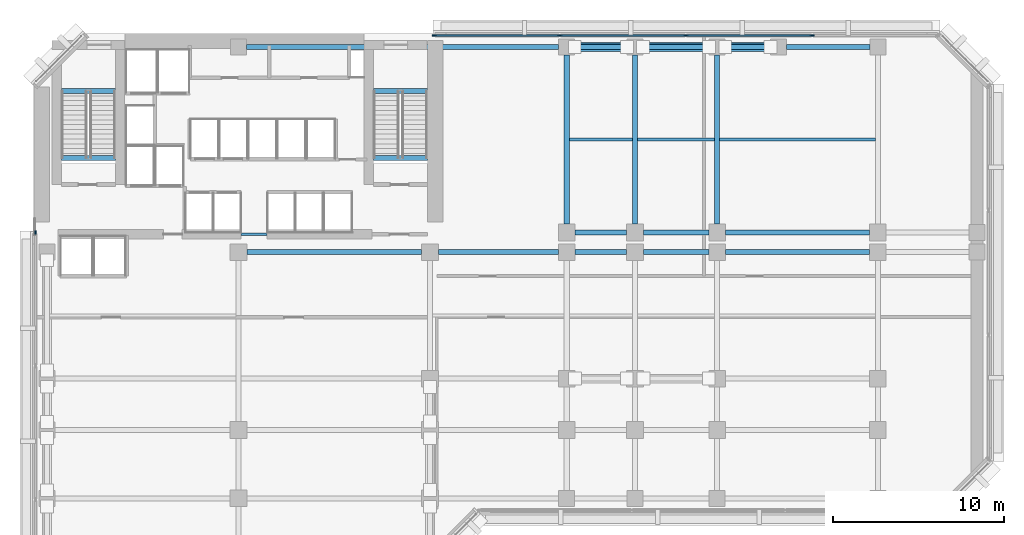
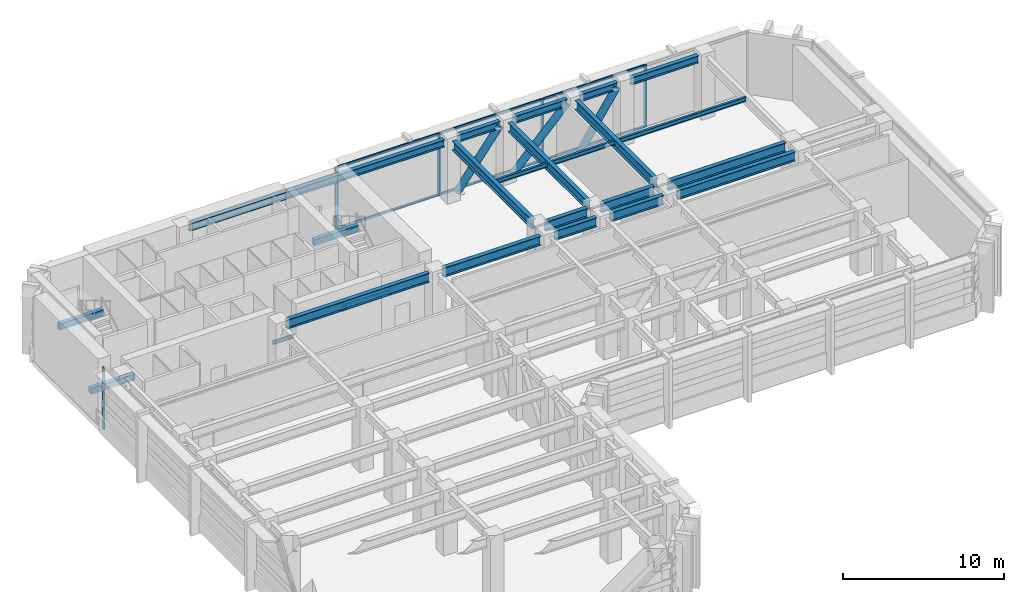
# One storey, part 4 of 13: 24 beams, 14 members, 2 elements without a shape of their own.
"""IFC4 building model written with IfcOpenShell, lengths in metres."""

from ifc_helpers import new_model, si_unit, direction, frame, origin, origin_2d, place, context, subcontext, project, spatial, rectangle, hollow_circle, i_section, extrude, material, layer, layer_set, material_profile, profile_set, type_object, element, aggregate, save


model = new_model("IFC4")

# Units and contexts
model_context = context("Model", 3, precision=1e-05, world=origin(), true_north=direction((0.0, 1.0)))
body_context = subcontext(model_context, "Body", "Model", "MODEL_VIEW")
ifc_project = project(units=[si_unit("LENGTHUNIT", "METRE"), si_unit("AREAUNIT", "SQUARE_METRE"), si_unit("VOLUMEUNIT", "CUBIC_METRE"), si_unit("PLANEANGLEUNIT", "RADIAN"), si_unit("MASSUNIT", "GRAM", prefix="KILO")], contexts=[model_context])

# Site, building, storey
site_placement = place(None, origin())
site = spatial("IfcSite", under=ifc_project, at=site_placement, CompositionType="ELEMENT")
building_placement = place(site_placement, origin())
building = spatial("IfcBuilding", under=site, at=building_placement, Name="Kefirva Bronze Tower", CompositionType="ELEMENT")
storey_placement = place(building_placement, frame((0.0, 0.0, 93.719970703125)))
storey = spatial("IfcBuildingStorey", under=building, at=storey_placement, Name="L22", CompositionType="ELEMENT", Elevation=93.719970703125)

# Curtain wall, members
ifc_material_1 = material(Name="Bronze anodised aluminium", Category="aluminium")
ifc_layer = layer(ifc_material_1, 0.219970703125, Name="Bronze anodised aluminium")
ifc_layer_set = layer_set([ifc_layer], Name="Bronze anodised aluminium")
curtain_wall_type = type_object("IfcCurtainWallType", Name="Refuge Acoustic Louvre Curtain Screen", PredefinedType="USERDEFINED", material=ifc_layer_set)
curtain_wall_1_placement = place(storey_placement, origin())
curtain_wall_1 = element("IfcCurtainWall", 1, at=curtain_wall_1_placement, inside=storey, type_object=curtain_wall_type, Name="L22 Curtain Wall 4", ObjectType="LOUVRE SCREEN WALL", PredefinedType="USERDEFINED")
ifc_material_profile_1 = material_profile(ifc_material_1, rectangle(XDim=0.090087890625, YDim=0.219970703125, at=origin_2d()), Name="ALU 90x220")
ifc_profile_set_1 = profile_set([ifc_material_profile_1], Name="Bronze anodised aluminium")
member_type_1 = type_object("IfcMemberType", Name="Bronze Mullion 90x220", PredefinedType="MULLION", material=ifc_profile_set_1)
member_1_placement = place(storey_placement, frame((45.56005859375, 45.8798828125, 0.0), z_axis=(0.0, 0.0, 1.0), x_axis=(0.0, -1.0, 0.0)))
member_1 = element("IfcMember", 2, at=member_1_placement, type_object=member_type_1, Name="CW-06 mullion 2", PredefinedType="MULLION", context=body_context, shape_type="SweptSolid", body=[
    extrude(rectangle(XDim=0.090087890625, YDim=0.219970703125, at=origin_2d()), origin(), (0.0, 0.0, 1.0), 4.699951171875),
])
member_2_placement = place(storey_placement, frame((38.175048828125, 45.8798828125, 0.0), z_axis=(0.0, 0.0, 1.0), x_axis=(0.0, -1.0, 0.0)))
member_2 = element("IfcMember", 3, at=member_2_placement, type_object=member_type_1, Name="CW-06 mullion 3", PredefinedType="MULLION", context=body_context, shape_type="SweptSolid", body=[
    extrude(rectangle(XDim=0.090087890625, YDim=0.219970703125, at=origin_2d()), origin(), (0.0, 0.0, 1.0), 4.699951171875),
])
member_3_placement = place(storey_placement, frame((30.7900390625, 45.8798828125, 0.0), z_axis=(0.0, 0.0, 1.0), x_axis=(0.0, -1.0, 0.0)))
member_3 = element("IfcMember", 4, at=member_3_placement, type_object=member_type_1, Name="CW-06 mullion 4", PredefinedType="MULLION", context=body_context, shape_type="SweptSolid", body=[
    extrude(rectangle(XDim=0.090087890625, YDim=0.219970703125, at=origin_2d()), origin(), (0.0, 0.0, 1.0), 4.699951171875),
])
member_4_placement = place(storey_placement, frame((23.449951171875, 45.8798828125, 0.0), z_axis=(0.0, 0.0, 1.0), x_axis=(0.0, -1.0, 0.0)))
member_4 = element("IfcMember", 5, at=member_4_placement, type_object=member_type_1, Name="CW-06 mullion 5", PredefinedType="MULLION", context=body_context, shape_type="SweptSolid", body=[
    extrude(rectangle(XDim=0.090087890625, YDim=0.219970703125, at=origin_2d()), origin(), (0.0, 0.0, 1.0), 4.699951171875),
])

# Curtain wall, member
curtain_wall_2_placement = place(storey_placement, origin())
curtain_wall_2 = element("IfcCurtainWall", 6, at=curtain_wall_2_placement, inside=storey, type_object=curtain_wall_type, Name="L22 Curtain Wall 5", ObjectType="LOUVRE SCREEN WALL", PredefinedType="USERDEFINED")
member_5_placement = place(storey_placement, frame((0.1201171875, 34.35009765625, 0.0), z_axis=(0.0, 0.0, 1.0), x_axis=(1.0, 0.0, 0.0)))
member_5 = element("IfcMember", 7, at=member_5_placement, type_object=member_type_1, Name="CW-06 mullion 1", PredefinedType="MULLION", context=body_context, shape_type="SweptSolid", body=[
    extrude(rectangle(XDim=0.090087890625, YDim=0.219970703125, at=origin_2d()), origin(), (0.0, 0.0, 1.0), 4.699951171875),
])
aggregate(curtain_wall_2, [member_5])

# Member
ifc_material_profile_2 = material_profile(ifc_material_1, rectangle(XDim=0.090087890625, YDim=0.179931640625, at=origin_2d()), Name="ALU 90x180")
ifc_profile_set_2 = profile_set([ifc_material_profile_2], Name="Bronze anodised aluminium")
member_type_2 = type_object("IfcMemberType", Name="Bronze Transom 90x180", PredefinedType="USERDEFINED", material=ifc_profile_set_2)
member_6_placement = place(storey_placement, frame((45.514892578125, 45.8798828125, 0.044921875), z_axis=(-1.0, 0.0, 0.0), x_axis=(0.0, -1.0, 0.0)))
member_6 = element("IfcMember", 8, at=member_6_placement, type_object=member_type_2, Name="CW-06 transom 2.1", ObjectType="TRANSOM", PredefinedType="USERDEFINED", context=body_context, shape_type="SweptSolid", body=[
    extrude(rectangle(XDim=0.090087890625, YDim=0.179931640625, at=origin_2d()), origin(), (0.0, 0.0, 1.0), 7.294921875),
])

member_7_placement = place(storey_placement, frame((45.514892578125, 45.8798828125, 4.655029296875), z_axis=(-1.0, 0.0, 0.0), x_axis=(0.0, -1.0, 0.0)))
member_7 = element("IfcMember", 9, at=member_7_placement, type_object=member_type_2, Name="CW-06 transom 2.2", ObjectType="TRANSOM", PredefinedType="USERDEFINED", context=body_context, shape_type="SweptSolid", body=[
    extrude(rectangle(XDim=0.090087890625, YDim=0.179931640625, at=origin_2d()), origin(), (0.0, 0.0, 1.0), 7.294921875),
])

member_8_placement = place(storey_placement, frame((38.1298828125, 45.8798828125, 0.044921875), z_axis=(-1.0, 0.0, 0.0), x_axis=(0.0, -1.0, 0.0)))
member_8 = element("IfcMember", 10, at=member_8_placement, type_object=member_type_2, Name="CW-06 transom 3.1", ObjectType="TRANSOM", PredefinedType="USERDEFINED", context=body_context, shape_type="SweptSolid", body=[
    extrude(rectangle(XDim=0.090087890625, YDim=0.179931640625, at=origin_2d()), origin(), (0.0, 0.0, 1.0), 7.294921875),
])

member_9_placement = place(storey_placement, frame((38.1298828125, 45.8798828125, 4.655029296875), z_axis=(-1.0, 0.0, 0.0), x_axis=(0.0, -1.0, 0.0)))
member_9 = element("IfcMember", 11, at=member_9_placement, type_object=member_type_2, Name="CW-06 transom 3.2", ObjectType="TRANSOM", PredefinedType="USERDEFINED", context=body_context, shape_type="SweptSolid", body=[
    extrude(rectangle(XDim=0.090087890625, YDim=0.179931640625, at=origin_2d()), origin(), (0.0, 0.0, 1.0), 7.294921875),
])

member_10_placement = place(storey_placement, frame((30.7451171875, 45.8798828125, 0.044921875), z_axis=(-1.0, 0.0, 0.0), x_axis=(0.0, -1.0, 0.0)))
member_10 = element("IfcMember", 12, at=member_10_placement, type_object=member_type_2, Name="CW-06 transom 4.1", ObjectType="TRANSOM", PredefinedType="USERDEFINED", context=body_context, shape_type="SweptSolid", body=[
    extrude(rectangle(XDim=0.090087890625, YDim=0.179931640625, at=origin_2d()), origin(), (0.0, 0.0, 1.0), 7.25),
])

member_11_placement = place(storey_placement, frame((30.7451171875, 45.8798828125, 4.655029296875), z_axis=(-1.0, 0.0, 0.0), x_axis=(0.0, -1.0, 0.0)))
member_11 = element("IfcMember", 13, at=member_11_placement, type_object=member_type_2, Name="CW-06 transom 4.2", ObjectType="TRANSOM", PredefinedType="USERDEFINED", context=body_context, shape_type="SweptSolid", body=[
    extrude(rectangle(XDim=0.090087890625, YDim=0.179931640625, at=origin_2d()), origin(), (0.0, 0.0, 1.0), 7.25),
])

aggregate(curtain_wall_1, [member_1, member_2, member_3, member_4, member_6, member_7, member_8, member_9, member_10, member_11])

# Beams
ifc_material_2 = material(Name="Concrete C50/60", Category="concrete")
ifc_material_profile_3 = material_profile(ifc_material_2, rectangle(XDim=0.300048828125, YDim=0.449951171875, at=origin_2d()), Name="RC 300x450")
ifc_profile_set_3 = profile_set([ifc_material_profile_3], Name="Concrete C50/60")
beam_type_1 = type_object("IfcBeamType", Name="RC Stair Trimmer Beam 300x450", PredefinedType="BEAM", material=ifc_profile_set_3)
for number, where, z_axis, x_axis, name in (
    (14, (1.64501953125, 38.699951171875, -0.224853515625), (1.0, 0.0, 0.0), (0.0, 1.0, 0.0), "L22 Stair 1 Landing Trimmer Beam"),
    (15, (1.64501953125, 42.6201171875, 2.25), (1.0, 0.0, 0.0), (0.0, 1.0, 0.0), "L22 Stair 1 Half-Landing Trimmer Beam"),
):
    element("IfcBeam", number, at=place(storey_placement, frame(where, z_axis=z_axis, x_axis=x_axis)), inside=storey, type_object=beam_type_1, Name=name, PredefinedType="BEAM", context=body_context, shape_type="SweptSolid", body=[
        extrude(rectangle(XDim=0.300048828125, YDim=0.449951171875, at=origin_2d()), origin(), (0.0, 0.0, 1.0), 3.14990234375),
    ])
for number, where, z_axis, x_axis, name in (
    (16, (19.89501953125, 38.699951171875, -0.224853515625), (1.0, 0.0, 0.0), (0.0, 1.0, 0.0), "L22 Stair 2 Landing Trimmer Beam"),
    (17, (19.89501953125, 42.6201171875, 2.25), (1.0, 0.0, 0.0), (0.0, 1.0, 0.0), "L22 Stair 2 Half-Landing Trimmer Beam"),
):
    element("IfcBeam", number, at=place(storey_placement, frame(where, z_axis=z_axis, x_axis=x_axis)), inside=storey, type_object=beam_type_1, Name=name, PredefinedType="BEAM", context=body_context, shape_type="SweptSolid", body=[
        extrude(rectangle(XDim=0.300048828125, YDim=0.449951171875, at=origin_2d()), origin(), (0.0, 0.0, 1.0), 3.159912109375),
    ])

# Members
ifc_material_3 = material(Name="Steel S460", Category="steel")
ifc_material_profile_4 = material_profile(ifc_material_3, hollow_circle(Radius=0.25390625, WallThickness=0.02001953125, at=origin_2d()), Name="CHS 508x20")
ifc_profile_set_4 = profile_set([ifc_material_profile_4], Name="Steel S460")
member_type_3 = type_object("IfcMemberType", Name="Steel Belt Brace CHS 508x20", PredefinedType="BRACE", material=ifc_profile_set_4)
member_12_placement = place(storey_placement, frame((31.669921875, 45.199951171875, 0.300048828125), z_axis=(0.607604839906, 0.0, 0.794239484364), x_axis=(0.0, 1.0, 0.0)))
element("IfcMember", 18, at=member_12_placement, inside=storey, type_object=member_type_3, Name="L22 Outrigger Belt Brace 10", PredefinedType="BRACE", context=body_context, shape_type="SweptSolid", body=[
    extrude(hollow_circle(Radius=0.25390625, WallThickness=0.02001953125, at=origin_2d()), origin(), (0.0, 0.0, 1.0), 5.036376953125),
])
member_13_placement = place(storey_placement, frame((35.669921875, 45.199951171875, 0.300048828125), z_axis=(0.694411867109, 0.0, 0.71957776426), x_axis=(0.0, 1.0, 0.0)))
element("IfcMember", 19, at=member_13_placement, inside=storey, type_object=member_type_3, Name="L22 Outrigger Belt Brace 11", PredefinedType="BRACE", context=body_context, shape_type="SweptSolid", body=[
    extrude(hollow_circle(Radius=0.25390625, WallThickness=0.02001953125, at=origin_2d()), origin(), (0.0, 0.0, 1.0), 5.558837890625),
])
member_14_placement = place(storey_placement, frame((40.469970703125, 45.199951171875, 0.300048828125), z_axis=(0.553726343502, 0.0, 0.832698706924), x_axis=(0.0, 1.0, 0.0)))
element("IfcMember", 20, at=member_14_placement, inside=storey, type_object=member_type_3, Name="L22 Outrigger Belt Brace 12", PredefinedType="BRACE", context=body_context, shape_type="SweptSolid", body=[
    extrude(hollow_circle(Radius=0.25390625, WallThickness=0.02001953125, at=origin_2d()), origin(), (0.0, 0.0, 1.0), 4.8037109375),
])

# Beams
ifc_material_4 = material(Name="Steel S355", Category="steel")
ifc_material_profile_5 = material_profile(ifc_material_4, i_section(OverallWidth=0.159912109375, OverallDepth=0.330078125, WebThickness=0.007568359375, FlangeThickness=0.011474609375, at=origin_2d()), Name="IPE 330")
ifc_profile_set_5 = profile_set([ifc_material_profile_5], Name="Steel S355")
beam_type_2 = type_object("IfcBeamType", Name="Steel Floor Joist IPE 330", PredefinedType="JOIST", material=ifc_profile_set_5)
beam_1_placement = place(storey_placement, frame((31.35009765625, 39.784912109375, 4.534912109375), z_axis=(1.0, 0.0, 0.0), x_axis=(0.0, 1.0, 0.0)))
element("IfcBeam", 21, at=beam_1_placement, inside=storey, type_object=beam_type_2, Name="L22 JST-L22-31-397", PredefinedType="JOIST", context=body_context, shape_type="SweptSolid", body=[
    extrude(i_section(OverallWidth=0.159912109375, OverallDepth=0.330078125, WebThickness=0.007568359375, FlangeThickness=0.011474609375, at=origin_2d()), origin(), (0.0, 0.0, 1.0), 3.699951171875),
])
beam_2_placement = place(storey_placement, frame((35.35009765625, 39.784912109375, 4.534912109375), z_axis=(1.0, 0.0, 0.0), x_axis=(0.0, 1.0, 0.0)))
element("IfcBeam", 22, at=beam_2_placement, inside=storey, type_object=beam_type_2, Name="L22 JST-L22-35-397", PredefinedType="JOIST", context=body_context, shape_type="SweptSolid", body=[
    extrude(i_section(OverallWidth=0.159912109375, OverallDepth=0.330078125, WebThickness=0.007568359375, FlangeThickness=0.011474609375, at=origin_2d()), origin(), (0.0, 0.0, 1.0), 4.5),
])
beam_3_placement = place(storey_placement, frame((40.14990234375, 39.784912109375, 4.534912109375), z_axis=(1.0, 0.0, 0.0), x_axis=(0.0, 1.0, 0.0)))
element("IfcBeam", 23, at=beam_3_placement, inside=storey, type_object=beam_type_2, Name="L22 JST-L22-40-397", PredefinedType="JOIST", context=body_context, shape_type="SweptSolid", body=[
    extrude(i_section(OverallWidth=0.159912109375, OverallDepth=0.330078125, WebThickness=0.007568359375, FlangeThickness=0.011474609375, at=origin_2d()), origin(), (0.0, 0.0, 1.0), 9.10009765625),
])
ifc_material_profile_6 = material_profile(ifc_material_4, i_section(OverallWidth=0.300048828125, OverallDepth=0.699951171875, WebThickness=0.01708984375, FlangeThickness=0.031982421875, at=origin_2d()), Name="HEB 700")
ifc_profile_set_6 = profile_set([ifc_material_profile_6], Name="Steel S355")
beam_type_3 = type_object("IfcBeamType", Name="Steel Girder HEB 700", PredefinedType="USERDEFINED", material=ifc_profile_set_6)
beam_4_placement = place(storey_placement, frame((12.489990234375, 33.199951171875, 4.35009765625), z_axis=(1.0, 0.0, 0.0), x_axis=(0.0, 1.0, 0.0)))
element("IfcBeam", 24, at=beam_4_placement, inside=storey, type_object=beam_type_3, Name="L22 BM-L22-EW-12-332", ObjectType="GIRDER", PredefinedType="USERDEFINED", context=body_context, shape_type="SweptSolid", body=[
    extrude(i_section(OverallWidth=0.300048828125, OverallDepth=0.699951171875, WebThickness=0.01708984375, FlangeThickness=0.031982421875, at=origin_2d()), origin(), (0.0, 0.0, 1.0), 10.219970703125),
])
beam_5_placement = place(storey_placement, frame((23.68994140625, 33.199951171875, 4.35009765625), z_axis=(1.0, 0.0, 0.0), x_axis=(0.0, 1.0, 0.0)))
element("IfcBeam", 25, at=beam_5_placement, inside=storey, type_object=beam_type_3, Name="L22 BM-L22-EW-23-332", ObjectType="GIRDER", PredefinedType="USERDEFINED", context=body_context, shape_type="SweptSolid", body=[
    extrude(i_section(OverallWidth=0.300048828125, OverallDepth=0.699951171875, WebThickness=0.01708984375, FlangeThickness=0.031982421875, at=origin_2d()), origin(), (0.0, 0.0, 1.0), 7.02001953125),
])
beam_6_placement = place(storey_placement, frame((31.68994140625, 33.199951171875, 4.35009765625), z_axis=(1.0, 0.0, 0.0), x_axis=(0.0, 1.0, 0.0)))
element("IfcBeam", 26, at=beam_6_placement, inside=storey, type_object=beam_type_3, Name="L22 BM-L22-EW-31-332", ObjectType="GIRDER", PredefinedType="USERDEFINED", context=body_context, shape_type="SweptSolid", body=[
    extrude(i_section(OverallWidth=0.300048828125, OverallDepth=0.699951171875, WebThickness=0.01708984375, FlangeThickness=0.031982421875, at=origin_2d()), origin(), (0.0, 0.0, 1.0), 3.02001953125),
])
beam_7_placement = place(storey_placement, frame((35.68994140625, 33.199951171875, 4.35009765625), z_axis=(1.0, 0.0, 0.0), x_axis=(0.0, 1.0, 0.0)))
element("IfcBeam", 27, at=beam_7_placement, inside=storey, type_object=beam_type_3, Name="L22 BM-L22-EW-35-332", ObjectType="GIRDER", PredefinedType="USERDEFINED", context=body_context, shape_type="SweptSolid", body=[
    extrude(i_section(OverallWidth=0.300048828125, OverallDepth=0.699951171875, WebThickness=0.01708984375, FlangeThickness=0.031982421875, at=origin_2d()), origin(), (0.0, 0.0, 1.0), 3.820068359375),
])
beam_8_placement = place(storey_placement, frame((40.489990234375, 33.199951171875, 4.35009765625), z_axis=(1.0, 0.0, 0.0), x_axis=(0.0, 1.0, 0.0)))
element("IfcBeam", 28, at=beam_8_placement, inside=storey, type_object=beam_type_3, Name="L22 BM-L22-EW-40-332", ObjectType="GIRDER", PredefinedType="USERDEFINED", context=body_context, shape_type="SweptSolid", body=[
    extrude(i_section(OverallWidth=0.300048828125, OverallDepth=0.699951171875, WebThickness=0.01708984375, FlangeThickness=0.031982421875, at=origin_2d()), origin(), (0.0, 0.0, 1.0), 8.419921875),
])
beam_9_placement = place(storey_placement, frame((31.68994140625, 34.35009765625, 4.35009765625), z_axis=(1.0, 0.0, 0.0), x_axis=(0.0, 1.0, 0.0)))
element("IfcBeam", 29, at=beam_9_placement, inside=storey, type_object=beam_type_3, Name="L22 BM-L22-EW-31-344", ObjectType="GIRDER", PredefinedType="USERDEFINED", context=body_context, shape_type="SweptSolid", body=[
    extrude(i_section(OverallWidth=0.300048828125, OverallDepth=0.699951171875, WebThickness=0.01708984375, FlangeThickness=0.031982421875, at=origin_2d()), origin(), (0.0, 0.0, 1.0), 3.02001953125),
])
beam_10_placement = place(storey_placement, frame((35.68994140625, 34.35009765625, 4.35009765625), z_axis=(1.0, 0.0, 0.0), x_axis=(0.0, 1.0, 0.0)))
element("IfcBeam", 30, at=beam_10_placement, inside=storey, type_object=beam_type_3, Name="L22 BM-L22-EW-35-344", ObjectType="GIRDER", PredefinedType="USERDEFINED", context=body_context, shape_type="SweptSolid", body=[
    extrude(i_section(OverallWidth=0.300048828125, OverallDepth=0.699951171875, WebThickness=0.01708984375, FlangeThickness=0.031982421875, at=origin_2d()), origin(), (0.0, 0.0, 1.0), 3.820068359375),
])
beam_11_placement = place(storey_placement, frame((40.489990234375, 34.35009765625, 4.35009765625), z_axis=(1.0, 0.0, 0.0), x_axis=(0.0, 1.0, 0.0)))
element("IfcBeam", 31, at=beam_11_placement, inside=storey, type_object=beam_type_3, Name="L22 BM-L22-EW-40-344", ObjectType="GIRDER", PredefinedType="USERDEFINED", context=body_context, shape_type="SweptSolid", body=[
    extrude(i_section(OverallWidth=0.300048828125, OverallDepth=0.699951171875, WebThickness=0.01708984375, FlangeThickness=0.031982421875, at=origin_2d()), origin(), (0.0, 0.0, 1.0), 8.419921875),
])
for number, where, z_axis, x_axis, name in (
    (32, (31.199951171875, 34.840087890625, 4.35009765625), (0.0, 1.0, 0.0), (-1.0, 0.0, 0.0), "L22 BM-L22-NS-312-34"),
    (33, (35.199951171875, 34.840087890625, 4.35009765625), (0.0, 1.0, 0.0), (-1.0, 0.0, 0.0), "L22 BM-L22-NS-352-34"),
    (34, (40.0, 34.840087890625, 4.35009765625), (0.0, 1.0, 0.0), (-1.0, 0.0, 0.0), "L22 BM-L22-NS-400-34"),
):
    element("IfcBeam", number, at=place(storey_placement, frame(where, z_axis=z_axis, x_axis=x_axis)), inside=storey, type_object=beam_type_3, Name=name, ObjectType="GIRDER", PredefinedType="USERDEFINED", context=body_context, shape_type="SweptSolid", body=[
        extrude(i_section(OverallWidth=0.300048828125, OverallDepth=0.699951171875, WebThickness=0.01708984375, FlangeThickness=0.031982421875, at=origin_2d()), origin(), (0.0, 0.0, 1.0), 9.889892578125),
    ])
ifc_material_profile_7 = material_profile(ifc_material_4, i_section(OverallWidth=0.135009765625, OverallDepth=0.27001953125, WebThickness=0.006591796875, FlangeThickness=0.01025390625, at=origin_2d()), Name="IPE 270")
ifc_profile_set_7 = profile_set([ifc_material_profile_7], Name="Steel S355")
beam_type_4 = type_object("IfcBeamType", Name="Steel Opening Lintel IPE 270", PredefinedType="LINTEL", material=ifc_profile_set_7)
beam_12_placement = place(storey_placement, frame((12.159912109375, 34.25, 2.400146484375), z_axis=(1.0, 0.0, 0.0), x_axis=(0.0, 1.0, 0.0)))
element("IfcBeam", 35, at=beam_12_placement, inside=storey, type_object=beam_type_4, Name="L22 Core Lobby Lintel", PredefinedType="LINTEL", context=body_context, shape_type="SweptSolid", body=[
    extrude(i_section(OverallWidth=0.135009765625, OverallDepth=0.27001953125, WebThickness=0.006591796875, FlangeThickness=0.01025390625, at=origin_2d()), origin(), (0.0, 0.0, 1.0), 1.52001953125),
])
ifc_material_profile_8 = material_profile(ifc_material_4, i_section(OverallWidth=0.300048828125, OverallDepth=0.550048828125, WebThickness=0.014892578125, FlangeThickness=0.029052734375, at=origin_2d()), Name="HEB 550")
ifc_profile_set_8 = profile_set([ifc_material_profile_8], Name="Steel S355")
beam_type_5 = type_object("IfcBeamType", Name="Steel Spandrel HEB 550 Ext", PredefinedType="SPANDREL", material=ifc_profile_set_8)
beam_13_placement = place(storey_placement, frame((12.469970703125, 45.199951171875, 4.425048828125), z_axis=(1.0, 0.0, 0.0), x_axis=(0.0, 1.0, 0.0)))
element("IfcBeam", 36, at=beam_13_placement, inside=storey, type_object=beam_type_5, Name="L22 BM-L22-EW-12-452", PredefinedType="SPANDREL", context=body_context, shape_type="SweptSolid", body=[
    extrude(i_section(OverallWidth=0.300048828125, OverallDepth=0.550048828125, WebThickness=0.014892578125, FlangeThickness=0.029052734375, at=origin_2d()), origin(), (0.0, 0.0, 1.0), 18.260009765625),
])
beam_14_placement = place(storey_placement, frame((31.669921875, 45.199951171875, 4.425048828125), z_axis=(1.0, 0.0, 0.0), x_axis=(0.0, 1.0, 0.0)))
element("IfcBeam", 37, at=beam_14_placement, inside=storey, type_object=beam_type_5, Name="L22 BM-L22-EW-31-452", PredefinedType="SPANDREL", context=body_context, shape_type="SweptSolid", body=[
    extrude(i_section(OverallWidth=0.300048828125, OverallDepth=0.550048828125, WebThickness=0.014892578125, FlangeThickness=0.029052734375, at=origin_2d()), origin(), (0.0, 0.0, 1.0), 3.06005859375),
])
beam_15_placement = place(storey_placement, frame((35.669921875, 45.199951171875, 4.425048828125), z_axis=(1.0, 0.0, 0.0), x_axis=(0.0, 1.0, 0.0)))
element("IfcBeam", 38, at=beam_15_placement, inside=storey, type_object=beam_type_5, Name="L22 BM-L22-EW-35-452", PredefinedType="SPANDREL", context=body_context, shape_type="SweptSolid", body=[
    extrude(i_section(OverallWidth=0.300048828125, OverallDepth=0.550048828125, WebThickness=0.014892578125, FlangeThickness=0.029052734375, at=origin_2d()), origin(), (0.0, 0.0, 1.0), 3.860107421875),
])
beam_16_placement = place(storey_placement, frame((40.469970703125, 45.199951171875, 4.425048828125), z_axis=(1.0, 0.0, 0.0), x_axis=(0.0, 1.0, 0.0)))
element("IfcBeam", 39, at=beam_16_placement, inside=storey, type_object=beam_type_5, Name="L22 BM-L22-EW-40-452", PredefinedType="SPANDREL", context=body_context, shape_type="SweptSolid", body=[
    extrude(i_section(OverallWidth=0.300048828125, OverallDepth=0.550048828125, WebThickness=0.014892578125, FlangeThickness=0.029052734375, at=origin_2d()), origin(), (0.0, 0.0, 1.0), 2.659912109375),
])
beam_17_placement = place(storey_placement, frame((44.070068359375, 45.199951171875, 4.425048828125), z_axis=(1.0, 0.0, 0.0), x_axis=(0.0, 1.0, 0.0)))
element("IfcBeam", 40, at=beam_17_placement, inside=storey, type_object=beam_type_5, Name="L22 BM-L22-EW-43-452", PredefinedType="SPANDREL", context=body_context, shape_type="SweptSolid", body=[
    extrude(i_section(OverallWidth=0.300048828125, OverallDepth=0.550048828125, WebThickness=0.014892578125, FlangeThickness=0.029052734375, at=origin_2d()), origin(), (0.0, 0.0, 1.0), 4.85986328125),
])

save(model, "model.ifc")
